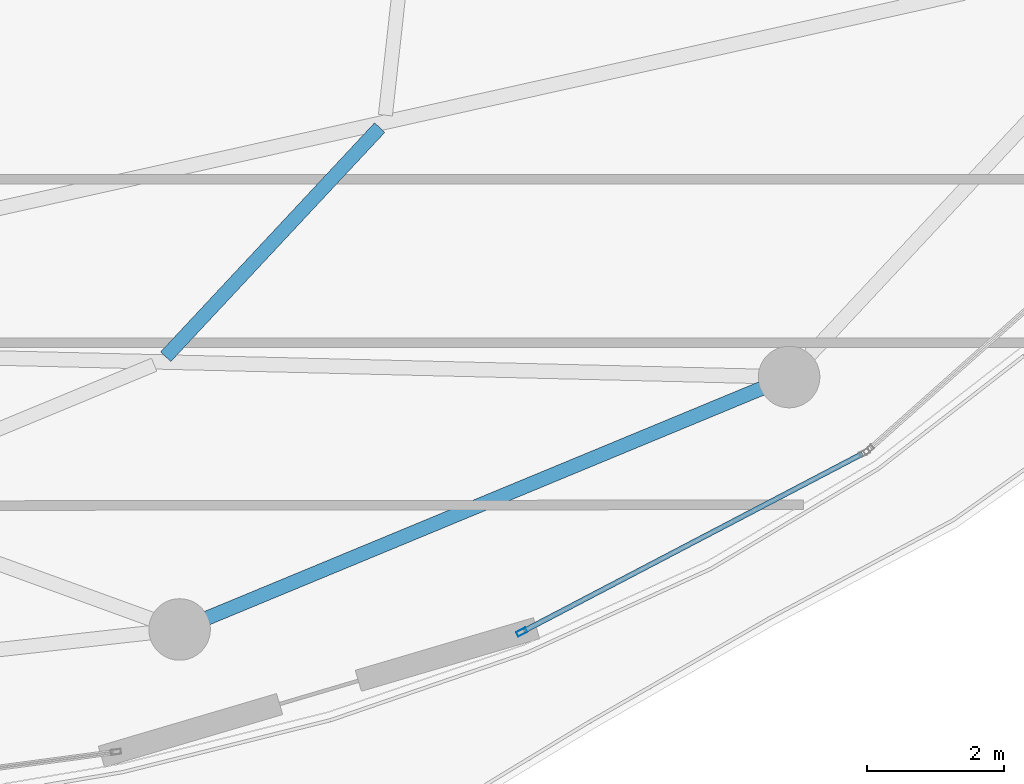
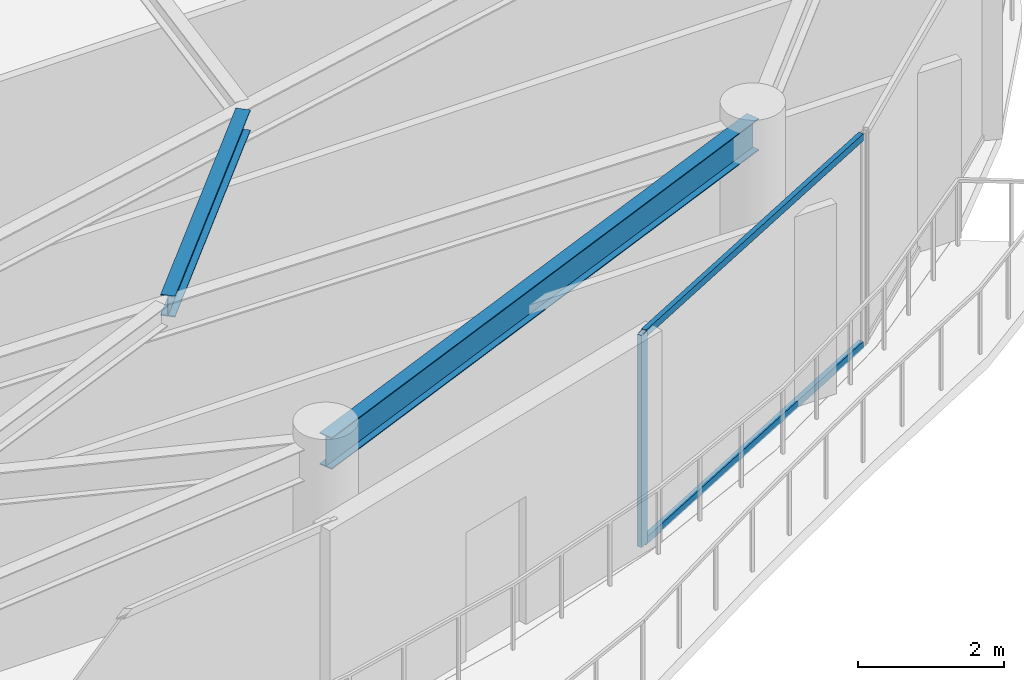
# One storey, part 13 of 30: 3 members, 2 beams, 1 element without a shape of its own.
"""IFC4 building model written with IfcOpenShell, lengths in metres."""

from ifc_helpers import new_model, si_unit, direction, frame, origin, origin_2d, place, context, subcontext, project, spatial, hollow_rectangle, i_section, extrude, material, layer, layer_set, material_profile, profile_set, type_object, element, aggregate, save


model = new_model("IFC4")

# Units and contexts
model_context = context("Model", 3, precision=1e-05, world=origin(), true_north=direction((0.0, 1.0)))
body_context = subcontext(model_context, "Body", "Model", "MODEL_VIEW")
ifc_project = project(units=[si_unit("LENGTHUNIT", "METRE"), si_unit("AREAUNIT", "SQUARE_METRE"), si_unit("VOLUMEUNIT", "CUBIC_METRE"), si_unit("PLANEANGLEUNIT", "RADIAN"), si_unit("MASSUNIT", "GRAM", prefix="KILO")], contexts=[model_context])

# Site, building, storey
site_placement = place(None, origin())
site = spatial("IfcSite", under=ifc_project, at=site_placement, CompositionType="ELEMENT")
building_placement = place(site_placement, origin())
building = spatial("IfcBuilding", under=site, at=building_placement, Name="Kazevale Care Tower and Concert Hall", CompositionType="ELEMENT")
storey_placement = place(building_placement, frame((0.0, 0.0, 258.60009765625)))
storey = spatial("IfcBuildingStorey", under=building, at=storey_placement, Name="L68", CompositionType="ELEMENT", Elevation=258.60009765625)

# Curtain wall, members
ifc_material_1 = material(Name="Aluminium 6063-T6 and Low-E Glass", Category="aluminium")
ifc_layer = layer(ifc_material_1, 0.179931640625)
ifc_layer_set = layer_set([ifc_layer], Name="Aluminium 6063-T6 and Low-E Glass")
curtain_wall_type = type_object("IfcCurtainWallType", Name="Sheltered Concave Balcony Curtain Wall CW-5", PredefinedType="NOTDEFINED", material=ifc_layer_set)
curtain_wall_placement = place(storey_placement, origin())
curtain_wall = element("IfcCurtainWall", 1, at=curtain_wall_placement, inside=storey, type_object=curtain_wall_type, Name="cw:L68:f03", PredefinedType="NOTDEFINED")
ifc_material_2 = material(Name="Aluminium 6063-T6", Category="aluminium")
ifc_material_profile_1 = material_profile(ifc_material_2, hollow_rectangle(XDim=0.074951171875, YDim=0.14990234375, WallThickness=0.00390625, at=origin_2d()), Name="ALU75x150x4")
ifc_profile_set_1 = profile_set([ifc_material_profile_1], Name="Aluminium 6063-T6")
member_type_1 = type_object("IfcMemberType", Name="CW-5 Mullion ALU75x150x4", PredefinedType="MULLION", material=ifc_profile_set_1)
member_1_placement = place(storey_placement, frame((60.502197265625, 19.38232421875, 0.0), z_axis=(0.0, 0.0, 1.0), x_axis=(0.463680915912, -0.886002261972, 0.0)))
member_1 = element("IfcMember", 2, at=member_1_placement, type_object=member_type_1, Name="CW-5 mullion 2", PredefinedType="MULLION", context=body_context, shape_type="SweptSolid", body=[
    extrude(hollow_rectangle(XDim=0.074951171875, YDim=0.14990234375, WallThickness=0.00390625, at=origin_2d()), origin(), (0.0, 0.0, 1.0), 3.559814453125),
])
ifc_material_profile_2 = material_profile(ifc_material_2, hollow_rectangle(XDim=0.074951171875, YDim=0.1201171875, WallThickness=0.00390625, at=origin_2d()), Name="ALU75x120x4")
ifc_profile_set_2 = profile_set([ifc_material_profile_2], Name="Aluminium 6063-T6")
member_type_2 = type_object("IfcMemberType", Name="CW-5 Transom ALU75x120x4", PredefinedType="USERDEFINED", material=ifc_profile_set_2)
member_2_placement = place(storey_placement, frame((65.4794921875, 21.9873046875, 0.037353515625), z_axis=(-0.885987336027, -0.463709435314, 0.0), x_axis=(0.463709435314, -0.885987336027, 0.0)))
member_2 = element("IfcMember", 3, at=member_2_placement, type_object=member_type_2, Name="CW-5 transom 1.1", ObjectType="TRANSOM", PredefinedType="USERDEFINED", context=body_context, shape_type="SweptSolid", body=[
    extrude(hollow_rectangle(XDim=0.074951171875, YDim=0.1201171875, WallThickness=0.00390625, at=origin_2d()), origin(), (0.0, 0.0, 1.0), 5.580322265625),
])
member_3_placement = place(storey_placement, frame((65.4794921875, 21.9873046875, 3.5224609375), z_axis=(-0.885987336027, -0.463709435314, 0.0), x_axis=(0.463709435314, -0.885987336027, 0.0)))
member_3 = element("IfcMember", 4, at=member_3_placement, type_object=member_type_2, Name="CW-5 transom 1.2", ObjectType="TRANSOM", PredefinedType="USERDEFINED", context=body_context, shape_type="SweptSolid", body=[
    extrude(hollow_rectangle(XDim=0.074951171875, YDim=0.1201171875, WallThickness=0.00390625, at=origin_2d()), origin(), (0.0, 0.0, 1.0), 5.580322265625),
])
aggregate(curtain_wall, [member_1, member_2, member_3])

# Beams
ifc_material_3 = material(Name="Steel ASTM A572 Gr 50", Category="steel")
ifc_material_profile_3 = material_profile(ifc_material_3, i_section(OverallWidth=0.205078125, OverallDepth=0.35400390625, WebThickness=0.009521484375, FlangeThickness=0.016845703125, at=origin_2d()), Name="W360x79")
ifc_profile_set_3 = profile_set([ifc_material_profile_3], Name="Steel ASTM A572 Gr 50")
beam_type_1 = type_object("IfcBeamType", Name="Secondary Floor Joist W360x79", PredefinedType="JOIST", material=ifc_profile_set_3)
beam_1_placement = place(storey_placement, frame((55.297119140625, 23.406982421875, 3.3828125), z_axis=(0.682568692562, 0.730821441896, 0.0), x_axis=(-0.730821441896, 0.682568692562, 0.0)))
element("IfcBeam", 5, at=beam_1_placement, inside=storey, type_object=beam_type_1, Name="beam:L68:joist:15", PredefinedType="JOIST", context=body_context, shape_type="SweptSolid", body=[
    extrude(i_section(OverallWidth=0.205078125, OverallDepth=0.35400390625, WebThickness=0.009521484375, FlangeThickness=0.016845703125, at=origin_2d()), origin(), (0.0, 0.0, 1.0), 4.583984375),
])
ifc_material_profile_4 = material_profile(ifc_material_3, i_section(OverallWidth=0.208984375, OverallDepth=0.532958984375, WebThickness=0.01025390625, FlangeThickness=0.015625, at=origin_2d()), Name="W530x92")
ifc_profile_set_4 = profile_set([ifc_material_profile_4], Name="Steel ASTM A572 Gr 50")
beam_type_2 = type_object("IfcBeamType", Name="Upper Ring Beam W530x92", PredefinedType="BEAM", material=ifc_profile_set_4)
beam_2_placement = place(storey_placement, frame((55.5, 19.419921875, 3.29345703125), z_axis=(0.923894961945, 0.382646180293, 0.0), x_axis=(-0.382646180293, 0.923894961945, 0.0)))
element("IfcBeam", 6, at=beam_2_placement, inside=storey, type_object=beam_type_2, Name="beam:L68:ring:14", PredefinedType="BEAM", context=body_context, shape_type="SweptSolid", body=[
    extrude(i_section(OverallWidth=0.208984375, OverallDepth=0.532958984375, WebThickness=0.01025390625, FlangeThickness=0.015625, at=origin_2d()), origin(), (0.0, 0.0, 1.0), 9.643798828125),
])

save(model, "model.ifc")
